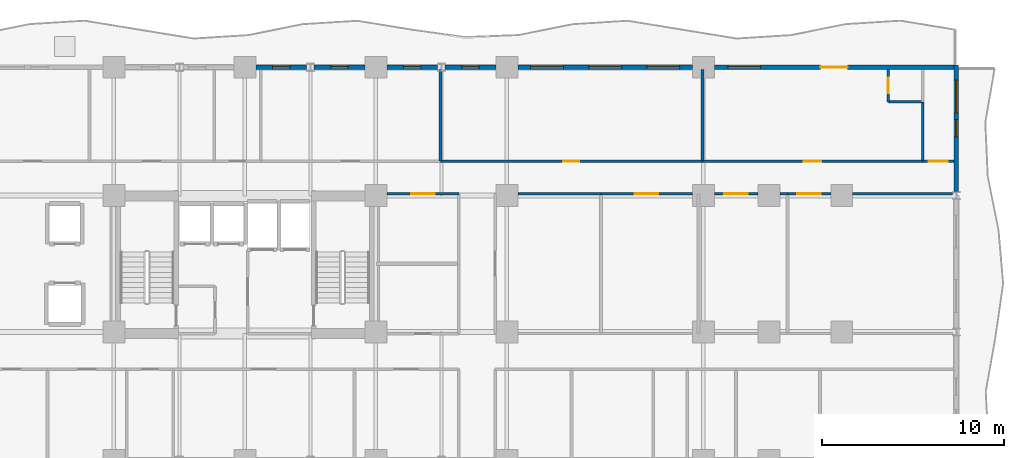
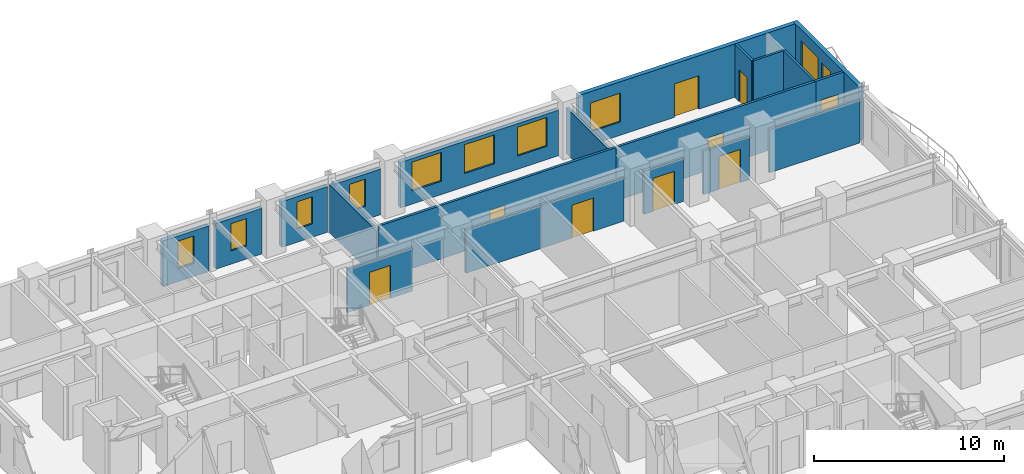
# One storey, part 7 of 11: 22 walls, 10 windows, 9 doors, 19 openings.
"""IFC4 building model written with IfcOpenShell, lengths in metres."""

import ifcopenshell
import ifcopenshell.guid

model = None  # the IFC model being written
_history = None  # IfcOwnerHistory: only IFC2X3 demands one
_inside = {}  # id of a spatial element -> (the spatial element, [elements in it])
_under = {}  # id of a project, library or spatial element -> (it, [spatial elements below it])
_declared = {}  # id of a project -> (the project, [libraries it declares])
_typed = {}  # id of a type object -> (the type object, [elements of that type])
_made_of = {}  # id of a material, layer set ... -> (it, [elements and type objects made of it])


def new_model(schema):
    """Start an empty IFC model of exactly this schema.

    Asked for "IFC4X3", IfcOpenShell would pick the latest addendum, in which some entities
    have other attributes; the version numbers below select the first issue.
    IFC2X3 requires an IfcOwnerHistory on every rooted entity: one is made here for all.
    """
    global model, _history
    if schema == "IFC4X3":
        model = ifcopenshell.file(schema_version=(4, 3, 0, 0))
    else:
        model = ifcopenshell.file(schema=schema)
    _inside.clear()
    _under.clear()
    _declared.clear()
    _typed.clear()
    _made_of.clear()
    _history = None
    if model.schema == "IFC2X3":
        org = make("IfcOrganization", Name="unknown")
        user = make(
            "IfcPersonAndOrganization",
            ThePerson=make("IfcPerson", FamilyName="unknown"),
            TheOrganization=org,
        )
        app = make(
            "IfcApplication",
            ApplicationDeveloper=org,
            Version="unknown",
            ApplicationFullName="unknown",
            ApplicationIdentifier="unknown",
        )
        _history = make(
            "IfcOwnerHistory",
            OwningUser=user,
            OwningApplication=app,
            ChangeAction="ADDED",
            CreationDate=0,
        )
    return model


def make(cls, **values):
    """One entity of the class cls with the attributes given. An attribute that is None is left unset."""
    return model.create_entity(
        cls, **{name: value for name, value in values.items() if value is not None}
    )


def rooted(cls, **values):
    """An entity with a GlobalId (a new one), such as an element, a storey or a relation."""
    return make(cls, GlobalId=ifcopenshell.guid.new(), OwnerHistory=_history, **values)


def si_unit(unit_type, name, prefix=None):
    """IfcSIUnit, for example si_unit("LENGTHUNIT", "METRE", prefix="MILLI")."""
    return make("IfcSIUnit", UnitType=unit_type, Prefix=prefix, Name=name)


def assignment(units):
    """IfcUnitAssignment: the units of a project."""
    return None if units is None else make("IfcUnitAssignment", Units=units)


def point(xyz):
    """IfcCartesianPoint."""
    return None if xyz is None else make("IfcCartesianPoint", Coordinates=xyz)


def direction(xyz):
    """IfcDirection."""
    return None if xyz is None else make("IfcDirection", DirectionRatios=xyz)


def frame(location, z_axis=None, x_axis=None):
    """IfcAxis2Placement3D, a coordinate frame: its origin and axes. An axis left out is left unset."""
    return make(
        "IfcAxis2Placement3D",
        Location=point(location),
        Axis=direction(z_axis),
        RefDirection=direction(x_axis),
    )


def frame_2d(location, x_axis=None):
    """IfcAxis2Placement2D, a coordinate frame in the plane: its origin and x axis."""
    return make(
        "IfcAxis2Placement2D", Location=point(location), RefDirection=direction(x_axis)
    )


def origin():
    """The frame at (0, 0, 0) with its axes left unset."""
    return frame((0.0, 0.0, 0.0))


def place(relative_to, where):
    """IfcLocalPlacement: puts the frame where relative to a parent placement (None: the world)."""
    return make(
        "IfcLocalPlacement", PlacementRelTo=relative_to, RelativePlacement=where
    )


def context(
    kind, dimensions, precision=None, world=None, true_north=None, identifier=None
):
    """IfcGeometricRepresentationContext, for example the 3D "Model" context."""
    return make(
        "IfcGeometricRepresentationContext",
        ContextIdentifier=identifier,
        ContextType=kind,
        CoordinateSpaceDimension=dimensions,
        Precision=precision,
        WorldCoordinateSystem=world,
        TrueNorth=true_north,
    )


def subcontext(parent, identifier, kind, view, scale=None):
    """IfcGeometricRepresentationSubContext, for example "Body" below "Model"."""
    return make(
        "IfcGeometricRepresentationSubContext",
        ContextIdentifier=identifier,
        ContextType=kind,
        ParentContext=parent,
        TargetScale=scale,
        TargetView=view,
    )


def project(units=None, contexts=None):
    """IfcProject with its units and contexts."""
    return rooted(
        "IfcProject",
        Name="project",
        RepresentationContexts=contexts,
        UnitsInContext=assignment(units),
    )


def spatial(cls, under=None, at=None, **own):
    """A site, building, storey or space (cls), placed at a placement, below another one or the project."""
    s = rooted(cls, ObjectPlacement=at, **own)
    if under is not None:
        _under.setdefault(under.id(), (under, []))[1].append(s)
    return s


def profile(cls, at=None, kind="AREA", **sizes):
    """A parametric profile (cls). Its sizes go by their IFC names, for example OverallWidth=200.0."""
    return make(cls, ProfileType=kind, Position=at, **sizes)


def rectangle(**sizes):
    """IfcRectangleProfileDef."""
    return profile("IfcRectangleProfileDef", **sizes)


def extrude(swept, where, along, depth):
    """IfcExtrudedAreaSolid: the profile swept, set in the frame where, extruded along a direction by depth."""
    return make(
        "IfcExtrudedAreaSolid",
        SweptArea=swept,
        Position=where,
        ExtrudedDirection=direction(along),
        Depth=depth,
    )


def shape(context_of_items, identifier, shape_type, items):
    """IfcShapeRepresentation: the items that make up one representation, for example the "Body"."""
    return make(
        "IfcShapeRepresentation",
        ContextOfItems=context_of_items,
        RepresentationIdentifier=identifier,
        RepresentationType=shape_type,
        Items=items,
    )


def material(Name=None, Category=None):
    """IfcMaterial."""
    return make("IfcMaterial", Name=Name, Category=Category)


def layer(
    of_material, thickness, ventilated=None, Name=None, Category=None, Priority=None
):
    """IfcMaterialLayer: one layer of a wall or slab, of a material (None: an air gap)."""
    return make(
        "IfcMaterialLayer",
        Material=of_material,
        LayerThickness=thickness,
        IsVentilated=ventilated,
        Name=Name,
        Category=Category,
        Priority=Priority,
    )


def layer_set(layers, Name=None):
    """IfcMaterialLayerSet."""
    return make("IfcMaterialLayerSet", MaterialLayers=layers, LayerSetName=Name)


def made_of(thing, what):
    """Note that an element or type object is made of a material, layer set ...; save() writes the relation."""
    if what is not None:
        _made_of.setdefault(what.id(), (what, []))[1].append(thing)
    return thing


def type_object(cls, material=None, **own):
    """A type object (cls), such as IfcWallType, which elements share."""
    return made_of(rooted(cls, **own), material)


def element(
    cls,
    number,
    at=None,
    inside=None,
    cuts=None,
    type_object=None,
    material=None,
    context=None,
    identifier="Body",
    shape_type=None,
    held_by="IfcProductDefinitionShape",
    body=None,
    shapes=None,
    **own,
):
    """One element of the class cls, such as IfcWall. Its Tag is "e" and its number.

    at: its placement. inside: the storey or other place that contains it. cuts: it is an
    opening in that element (IfcRelVoidsElement). A single representation is given by context,
    identifier, shape_type and body (its items); several are given by shapes. held_by: the class
    of the entity that holds the representations. save() writes the other relations.
    """
    e = rooted(cls, Tag="e%d" % number, ObjectPlacement=at, **own)
    if body is not None:
        shapes = [shape(context, identifier, shape_type, body)]
    if shapes is not None:
        e.Representation = make(held_by, Representations=shapes)
    if inside is not None:
        _inside.setdefault(inside.id(), (inside, []))[1].append(e)
    if cuts is not None:
        rooted(
            "IfcRelVoidsElement", RelatingBuildingElement=cuts, RelatedOpeningElement=e
        )
    if type_object is not None:
        _typed.setdefault(type_object.id(), (type_object, []))[1].append(e)
    return made_of(e, material)


def fill(opening, filler):
    """IfcRelFillsElement: the door or window that sits in an opening."""
    return rooted(
        "IfcRelFillsElement",
        RelatingOpeningElement=opening,
        RelatedBuildingElement=filler,
    )


def aggregate(whole, parts):
    """IfcRelAggregates: a whole, such as a stair, and the parts it consists of."""
    return rooted("IfcRelAggregates", RelatingObject=whole, RelatedObjects=parts)


def save(model, path):
    """Write the relations noted so far, then the file.

    IfcRelAggregates (storeys below a building ...), IfcRelContainedInSpatialStructure (elements
    in a storey), IfcRelDefinesByType, IfcRelAssociatesMaterial and IfcRelDeclares: one each for
    every whole, place, type object, material and project.
    """
    for whole, parts in _under.values():
        aggregate(whole, parts)
    for where, things in _inside.values():
        rooted(
            "IfcRelContainedInSpatialStructure",
            RelatedElements=things,
            RelatingStructure=where,
        )
    for kind, things in _typed.values():
        rooted("IfcRelDefinesByType", RelatedObjects=things, RelatingType=kind)
    for what, things in _made_of.values():
        rooted("IfcRelAssociatesMaterial", RelatedObjects=things, RelatingMaterial=what)
    for by, libraries in _declared.values():
        rooted("IfcRelDeclares", RelatingContext=by, RelatedDefinitions=libraries)
    model.write(path)


model = new_model("IFC4")

# Units and contexts
model_context = context("Model", 3, precision=1e-05, world=origin(), true_north=direction((0.0, 1.0)))
body_context = subcontext(model_context, "Body", "Model", "MODEL_VIEW")
ifc_project = project(units=[si_unit("LENGTHUNIT", "METRE"), si_unit("AREAUNIT", "SQUARE_METRE"), si_unit("VOLUMEUNIT", "CUBIC_METRE"), si_unit("PLANEANGLEUNIT", "RADIAN"), si_unit("MASSUNIT", "GRAM", prefix="KILO")], contexts=[model_context])

# Site, building, storey
site_placement = place(None, origin())
site = spatial("IfcSite", under=ifc_project, at=site_placement, CompositionType="ELEMENT")
building_placement = place(site_placement, origin())
building = spatial("IfcBuilding", under=site, at=building_placement, Name="Kaliganga Portal Commons", CompositionType="ELEMENT")
storey_placement = place(building_placement, frame((0.0, 0.0, 86.0)))
storey = spatial("IfcBuildingStorey", under=building, at=storey_placement, Name="L21", CompositionType="ELEMENT", Elevation=86.0)

# Wall, openings, windows
ifc_material_1 = material(Name="Insulated Aluminium-Clad Spandrel Assembly", Category="aluminium")
ifc_layer_1 = layer(ifc_material_1, 0.260009765625)
ifc_layer_set_1 = layer_set([ifc_layer_1], Name="Insulated Aluminium-Clad Spandrel Assembly")
wall_type_1 = type_object("IfcWallType", Name="WL-EXT-SPAND-260", PredefinedType="STANDARD", material=ifc_layer_set_1)
wall_1_placement = place(storey_placement, frame((60.699951171875, 43.330078125, 0.0), z_axis=(0.0, 0.0, 1.0), x_axis=(0.0, -1.0, 0.0)))
wall_1 = element("IfcWall", 1, at=wall_1_placement, inside=storey, type_object=wall_type_1, Name="Exterior Envelope Wall L21 P1-E01-S6", PredefinedType="STANDARD", context=body_context, shape_type="SweptSolid", body=[
    extrude(rectangle(XDim=6.964111328125, YDim=0.260009765625, at=frame_2d((3.48193359375, 0.0))), origin(), (0.0, 0.0, 1.0), 3.429931640625),
])
opening_1_placement = place(wall_1_placement, frame((0.841064453125, 0.0, 0.85009765625)))
opening_1 = element("IfcOpeningElement", 2, at=opening_1_placement, cuts=wall_1, Name="Opening W-01", PredefinedType="OPENING", context=body_context, shape_type="SweptSolid", body=[
    extrude(rectangle(XDim=1.800048828125, YDim=1.85009765625, at=frame_2d((0.89990234375, 0.925048828125))), frame((0.0, 0.14013671875, 0.0), z_axis=(0.0, -1.0, 0.0), x_axis=(1.0, 0.0, 0.0)), (0.0, 0.0, 1.0), 0.280029296875),
])
opening_2_placement = place(wall_1_placement, frame((3.007080078125, 0.0, 0.85009765625)))
opening_2 = element("IfcOpeningElement", 3, at=opening_2_placement, cuts=wall_1, Name="Opening W-04", PredefinedType="OPENING", context=body_context, shape_type="SweptSolid", body=[
    extrude(rectangle(XDim=0.949951171875, YDim=1.75, at=frame_2d((0.47509765625, 0.875))), frame((0.0, 0.14013671875, 0.0), z_axis=(0.0, -1.0, 0.0), x_axis=(1.0, 0.0, 0.0)), (0.0, 0.0, 1.0), 0.280029296875),
])
ifc_material_2 = material(Name="Thermally Broken Aluminium and Low-E Double Glazing", Category="aluminium")
window_type_1 = type_object("IfcWindowType", Name="WIN-NARROW-950", PartitioningType="SINGLE_PANEL", PredefinedType="WINDOW", material=ifc_material_2)
window_1_placement = place(opening_2_placement, origin())
window_1 = element("IfcWindow", 4, at=window_1_placement, inside=storey, type_object=window_type_1, Name="Facade Window L21-P1E01S6-N0", OverallHeight=1.75, OverallWidth=0.949951171875, PartitioningType="SINGLE_PANEL", PredefinedType="WINDOW", context=body_context, shape_type="SweptSolid", body=[
    extrude(rectangle(XDim=0.949951171875, YDim=1.75, at=frame_2d((0.47509765625, 0.875))), frame((0.0, 0.030029296875, 0.0), z_axis=(0.0, -1.0, 0.0), x_axis=(1.0, 0.0, 0.0)), (0.0, 0.0, 1.0), 0.06005859375),
])
fill(opening_2, window_1)
window_type_2 = type_object("IfcWindowType", Name="WIN-STD-1800", PartitioningType="DOUBLE_PANEL_VERTICAL", PredefinedType="WINDOW", material=ifc_material_2)
window_2_placement = place(opening_1_placement, origin())
window_2 = element("IfcWindow", 5, at=window_2_placement, inside=storey, type_object=window_type_2, Name="Facade Window L21-P1E01S6-00", OverallHeight=1.85009765625, OverallWidth=1.800048828125, PartitioningType="SINGLE_PANEL", PredefinedType="WINDOW", context=body_context, shape_type="SweptSolid", body=[
    extrude(rectangle(XDim=1.800048828125, YDim=1.85009765625, at=frame_2d((0.89990234375, 0.925048828125))), frame((0.0, 0.030029296875, 0.0), z_axis=(0.0, -1.0, 0.0), x_axis=(1.0, 0.0, 0.0)), (0.0, 0.0, 1.0), 0.06005859375),
])
fill(opening_1, window_2)

# Wall, openings, door, window
wall_2_placement = place(storey_placement, frame((47.40087890625, 43.199951171875, 0.0), z_axis=(0.0, 0.0, 1.0), x_axis=(1.0, 0.0, 0.0)))
wall_2 = element("IfcWall", 6, at=wall_2_placement, inside=storey, type_object=wall_type_1, Name="Exterior Envelope Wall L21 P1-E02-S1", PredefinedType="STANDARD", context=body_context, shape_type="SweptSolid", body=[
    extrude(rectangle(XDim=13.1640625, YDim=0.260009765625, at=frame_2d((6.58203125, 0.0))), origin(), (0.0, 0.0, 1.0), 3.429931640625),
])
opening_3_placement = place(wall_2_placement, frame((5.83203125, 0.0, 0.0)))
opening_3 = element("IfcOpeningElement", 7, at=opening_3_placement, cuts=wall_2, Name="Opening BD-01", PredefinedType="OPENING", context=body_context, shape_type="SweptSolid", body=[
    extrude(rectangle(XDim=1.5, YDim=2.14990234375, at=frame_2d((0.75, 1.074951171875))), frame((0.0, 0.14013671875, 0.0), z_axis=(0.0, -1.0, 0.0), x_axis=(1.0, 0.0, 0.0)), (0.0, 0.0, 1.0), 0.280029296875),
])
opening_4_placement = place(wall_2_placement, frame((0.74560546875, 0.0, 0.85009765625)))
opening_4 = element("IfcOpeningElement", 8, at=opening_4_placement, cuts=wall_2, Name="Opening W-01", PredefinedType="OPENING", context=body_context, shape_type="SweptSolid", body=[
    extrude(rectangle(XDim=1.800048828125, YDim=1.85009765625, at=frame_2d((0.89990234375, 0.925048828125))), frame((0.0, 0.14013671875, 0.0), z_axis=(0.0, -1.0, 0.0), x_axis=(1.0, 0.0, 0.0)), (0.0, 0.0, 1.0), 0.280029296875),
])
ifc_material_3 = material(Name="Anodized Aluminium and Laminated Safety Glass", Category="aluminium")
door_type_1 = type_object("IfcDoorType", Name="DR-BALC-1500", OperationType="SLIDING_TO_LEFT", PredefinedType="DOOR", material=ifc_material_3)
door_1_placement = place(opening_3_placement, origin())
door_1 = element("IfcDoor", 9, at=door_1_placement, inside=storey, type_object=door_type_1, Name="Balcony Sliding Door L21 balc_north", OperationType="SLIDING_TO_LEFT", OverallHeight=2.14990234375, OverallWidth=1.5, PredefinedType="DOOR", context=body_context, shape_type="SweptSolid", body=[
    extrude(rectangle(XDim=1.5, YDim=2.14990234375, at=frame_2d((0.75, 1.074951171875))), frame((0.0, 0.02490234375, 0.0), z_axis=(0.0, -1.0, 0.0), x_axis=(1.0, 0.0, 0.0)), (0.0, 0.0, 1.0), 0.050048828125),
])
fill(opening_3, door_1)
window_3_placement = place(opening_4_placement, origin())
window_3 = element("IfcWindow", 10, at=window_3_placement, inside=storey, type_object=window_type_2, Name="Facade Window L21-P1E02S1-00", OverallHeight=1.85009765625, OverallWidth=1.800048828125, PartitioningType="SINGLE_PANEL", PredefinedType="WINDOW", context=body_context, shape_type="SweptSolid", body=[
    extrude(rectangle(XDim=1.800048828125, YDim=1.85009765625, at=frame_2d((0.89990234375, 0.925048828125))), frame((0.0, 0.030029296875, 0.0), z_axis=(0.0, -1.0, 0.0), x_axis=(1.0, 0.0, 0.0)), (0.0, 0.0, 1.0), 0.06005859375),
])
fill(opening_4, window_3)

# Wall, openings, windows
wall_3_placement = place(storey_placement, frame((36.60107421875, 43.199951171875, 0.0), z_axis=(0.0, 0.0, 1.0), x_axis=(1.0, 0.0, 0.0)))
wall_3 = element("IfcWall", 11, at=wall_3_placement, inside=storey, type_object=wall_type_1, Name="Exterior Envelope Wall L21 P1-E02-S2", PredefinedType="STANDARD", context=body_context, shape_type="SweptSolid", body=[
    extrude(rectangle(XDim=9.597900390625, YDim=0.260009765625, at=frame_2d((4.798828125, 0.0))), origin(), (0.0, 0.0, 1.0), 2.929931640625),
])
opening_5_placement = place(wall_3_placement, frame((0.69970703125, 0.0, 0.85009765625)))
opening_5 = element("IfcOpeningElement", 12, at=opening_5_placement, cuts=wall_3, Name="Opening W-01", PredefinedType="OPENING", context=body_context, shape_type="SweptSolid", body=[
    extrude(rectangle(XDim=1.800048828125, YDim=1.85009765625, at=frame_2d((0.89990234375, 0.925048828125))), frame((0.0, 0.14013671875, 0.0), z_axis=(0.0, -1.0, 0.0), x_axis=(1.0, 0.0, 0.0)), (0.0, 0.0, 1.0), 0.280029296875),
])
opening_6_placement = place(wall_3_placement, frame((3.89892578125, 0.0, 0.85009765625)))
opening_6 = element("IfcOpeningElement", 13, at=opening_6_placement, cuts=wall_3, Name="Opening W-01", PredefinedType="OPENING", context=body_context, shape_type="SweptSolid", body=[
    extrude(rectangle(XDim=1.800048828125, YDim=1.85009765625, at=frame_2d((0.89990234375, 0.925048828125))), frame((0.0, 0.14013671875, 0.0), z_axis=(0.0, -1.0, 0.0), x_axis=(1.0, 0.0, 0.0)), (0.0, 0.0, 1.0), 0.280029296875),
])
opening_7_placement = place(wall_3_placement, frame((7.098388671875, 0.0, 0.85009765625)))
opening_7 = element("IfcOpeningElement", 14, at=opening_7_placement, cuts=wall_3, Name="Opening W-01", PredefinedType="OPENING", context=body_context, shape_type="SweptSolid", body=[
    extrude(rectangle(XDim=1.800048828125, YDim=1.85009765625, at=frame_2d((0.89990234375, 0.925048828125))), frame((0.0, 0.14013671875, 0.0), z_axis=(0.0, -1.0, 0.0), x_axis=(1.0, 0.0, 0.0)), (0.0, 0.0, 1.0), 0.280029296875),
])
window_4_placement = place(opening_5_placement, origin())
window_4 = element("IfcWindow", 15, at=window_4_placement, inside=storey, type_object=window_type_2, Name="Facade Window L21-P1E02S2-00", OverallHeight=1.85009765625, OverallWidth=1.800048828125, PartitioningType="SINGLE_PANEL", PredefinedType="WINDOW", context=body_context, shape_type="SweptSolid", body=[
    extrude(rectangle(XDim=1.800048828125, YDim=1.85009765625, at=frame_2d((0.89990234375, 0.925048828125))), frame((0.0, 0.030029296875, 0.0), z_axis=(0.0, -1.0, 0.0), x_axis=(1.0, 0.0, 0.0)), (0.0, 0.0, 1.0), 0.06005859375),
])
fill(opening_5, window_4)
window_5_placement = place(opening_6_placement, origin())
window_5 = element("IfcWindow", 16, at=window_5_placement, inside=storey, type_object=window_type_2, Name="Facade Window L21-P1E02S2-01", OverallHeight=1.85009765625, OverallWidth=1.800048828125, PartitioningType="SINGLE_PANEL", PredefinedType="WINDOW", context=body_context, shape_type="SweptSolid", body=[
    extrude(rectangle(XDim=1.800048828125, YDim=1.85009765625, at=frame_2d((0.89990234375, 0.925048828125))), frame((0.0, 0.030029296875, 0.0), z_axis=(0.0, -1.0, 0.0), x_axis=(1.0, 0.0, 0.0)), (0.0, 0.0, 1.0), 0.06005859375),
])
fill(opening_6, window_5)
window_6_placement = place(opening_7_placement, origin())
window_6 = element("IfcWindow", 17, at=window_6_placement, inside=storey, type_object=window_type_2, Name="Facade Window L21-P1E02S2-02", OverallHeight=1.85009765625, OverallWidth=1.800048828125, PartitioningType="SINGLE_PANEL", PredefinedType="WINDOW", context=body_context, shape_type="SweptSolid", body=[
    extrude(rectangle(XDim=1.800048828125, YDim=1.85009765625, at=frame_2d((0.89990234375, 0.925048828125))), frame((0.0, 0.030029296875, 0.0), z_axis=(0.0, -1.0, 0.0), x_axis=(1.0, 0.0, 0.0)), (0.0, 0.0, 1.0), 0.06005859375),
])
fill(opening_7, window_6)

# Wall, opening, window
wall_4_placement = place(storey_placement, frame((32.60546875, 43.199951171875, 0.0), z_axis=(0.0, 0.0, 1.0), x_axis=(1.0, 0.0, 0.0)))
wall_4 = element("IfcWall", 18, at=wall_4_placement, inside=storey, type_object=wall_type_1, Name="Exterior Envelope Wall L21 P1-E02-S3", PredefinedType="STANDARD", context=body_context, shape_type="SweptSolid", body=[
    extrude(rectangle(XDim=2.79345703125, YDim=0.260009765625, at=frame_2d((1.396728515625, 0.0))), origin(), (0.0, 0.0, 1.0), 2.929931640625),
])
opening_8_placement = place(wall_4_placement, frame((0.921875, 0.0, 0.85009765625)))
opening_8 = element("IfcOpeningElement", 19, at=opening_8_placement, cuts=wall_4, Name="Opening W-04", PredefinedType="OPENING", context=body_context, shape_type="SweptSolid", body=[
    extrude(rectangle(XDim=0.949951171875, YDim=1.75, at=frame_2d((0.47509765625, 0.875))), frame((0.0, 0.14013671875, 0.0), z_axis=(0.0, -1.0, 0.0), x_axis=(1.0, 0.0, 0.0)), (0.0, 0.0, 1.0), 0.280029296875),
])
window_7_placement = place(opening_8_placement, origin())
window_7 = element("IfcWindow", 20, at=window_7_placement, inside=storey, type_object=window_type_1, Name="Facade Window L21-P1E02S3-00", OverallHeight=1.75, OverallWidth=0.949951171875, PartitioningType="SINGLE_PANEL", PredefinedType="WINDOW", context=body_context, shape_type="SweptSolid", body=[
    extrude(rectangle(XDim=0.949951171875, YDim=1.75, at=frame_2d((0.47509765625, 0.875))), frame((0.0, 0.030029296875, 0.0), z_axis=(0.0, -1.0, 0.0), x_axis=(1.0, 0.0, 0.0)), (0.0, 0.0, 1.0), 0.06005859375),
])
fill(opening_8, window_7)

wall_5_placement = place(storey_placement, frame((29.40087890625, 43.199951171875, 0.0), z_axis=(0.0, 0.0, 1.0), x_axis=(1.0, 0.0, 0.0)))
wall_5 = element("IfcWall", 21, at=wall_5_placement, inside=storey, type_object=wall_type_1, Name="Exterior Envelope Wall L21 P1-E02-S4", PredefinedType="STANDARD", context=body_context, shape_type="SweptSolid", body=[
    extrude(rectangle(XDim=2.793701171875, YDim=0.260009765625, at=frame_2d((1.39697265625, 0.0))), origin(), (0.0, 0.0, 1.0), 2.929931640625),
])
opening_9_placement = place(wall_5_placement, frame((0.921630859375, 0.0, 0.85009765625)))
opening_9 = element("IfcOpeningElement", 22, at=opening_9_placement, cuts=wall_5, Name="Opening W-04", PredefinedType="OPENING", context=body_context, shape_type="SweptSolid", body=[
    extrude(rectangle(XDim=0.949951171875, YDim=1.75, at=frame_2d((0.47509765625, 0.875))), frame((0.0, 0.14013671875, 0.0), z_axis=(0.0, -1.0, 0.0), x_axis=(1.0, 0.0, 0.0)), (0.0, 0.0, 1.0), 0.280029296875),
])
window_8_placement = place(opening_9_placement, origin())
window_8 = element("IfcWindow", 23, at=window_8_placement, inside=storey, type_object=window_type_1, Name="Facade Window L21-P1E02S4-00", OverallHeight=1.75, OverallWidth=0.949951171875, PartitioningType="SINGLE_PANEL", PredefinedType="WINDOW", context=body_context, shape_type="SweptSolid", body=[
    extrude(rectangle(XDim=0.949951171875, YDim=1.75, at=frame_2d((0.47509765625, 0.875))), frame((0.0, 0.030029296875, 0.0), z_axis=(0.0, -1.0, 0.0), x_axis=(1.0, 0.0, 0.0)), (0.0, 0.0, 1.0), 0.06005859375),
])
fill(opening_9, window_8)

wall_6_placement = place(storey_placement, frame((25.405517578125, 43.199951171875, 0.0), z_axis=(0.0, 0.0, 1.0), x_axis=(1.0, 0.0, 0.0)))
wall_6 = element("IfcWall", 24, at=wall_6_placement, inside=storey, type_object=wall_type_1, Name="Exterior Envelope Wall L21 P1-E02-S5", PredefinedType="STANDARD", context=body_context, shape_type="SweptSolid", body=[
    extrude(rectangle(XDim=2.79345703125, YDim=0.260009765625, at=frame_2d((1.396728515625, 0.0))), origin(), (0.0, 0.0, 1.0), 2.929931640625),
])
opening_10_placement = place(wall_6_placement, frame((0.921875, 0.0, 0.85009765625)))
opening_10 = element("IfcOpeningElement", 25, at=opening_10_placement, cuts=wall_6, Name="Opening W-04", PredefinedType="OPENING", context=body_context, shape_type="SweptSolid", body=[
    extrude(rectangle(XDim=0.949951171875, YDim=1.75, at=frame_2d((0.47509765625, 0.875))), frame((0.0, 0.14013671875, 0.0), z_axis=(0.0, -1.0, 0.0), x_axis=(1.0, 0.0, 0.0)), (0.0, 0.0, 1.0), 0.280029296875),
])
window_9_placement = place(opening_10_placement, origin())
window_9 = element("IfcWindow", 26, at=window_9_placement, inside=storey, type_object=window_type_1, Name="Facade Window L21-P1E02S5-00", OverallHeight=1.75, OverallWidth=0.949951171875, PartitioningType="SINGLE_PANEL", PredefinedType="WINDOW", context=body_context, shape_type="SweptSolid", body=[
    extrude(rectangle(XDim=0.949951171875, YDim=1.75, at=frame_2d((0.47509765625, 0.875))), frame((0.0, 0.030029296875, 0.0), z_axis=(0.0, -1.0, 0.0), x_axis=(1.0, 0.0, 0.0)), (0.0, 0.0, 1.0), 0.06005859375),
])
fill(opening_10, window_9)

wall_7_placement = place(storey_placement, frame((22.200927734375, 43.199951171875, 0.0), z_axis=(0.0, 0.0, 1.0), x_axis=(1.0, 0.0, 0.0)))
wall_7 = element("IfcWall", 27, at=wall_7_placement, inside=storey, type_object=wall_type_1, Name="Exterior Envelope Wall L21 P1-E02-S6", PredefinedType="STANDARD", context=body_context, shape_type="SweptSolid", body=[
    extrude(rectangle(XDim=2.79345703125, YDim=0.260009765625, at=frame_2d((1.396728515625, 0.0))), origin(), (0.0, 0.0, 1.0), 2.929931640625),
])
opening_11_placement = place(wall_7_placement, frame((0.921630859375, 0.0, 0.85009765625)))
opening_11 = element("IfcOpeningElement", 28, at=opening_11_placement, cuts=wall_7, Name="Opening W-04", PredefinedType="OPENING", context=body_context, shape_type="SweptSolid", body=[
    extrude(rectangle(XDim=0.949951171875, YDim=1.75, at=frame_2d((0.47509765625, 0.875))), frame((0.0, 0.14013671875, 0.0), z_axis=(0.0, -1.0, 0.0), x_axis=(1.0, 0.0, 0.0)), (0.0, 0.0, 1.0), 0.280029296875),
])
window_10_placement = place(opening_11_placement, origin())
window_10 = element("IfcWindow", 29, at=window_10_placement, inside=storey, type_object=window_type_1, Name="Facade Window L21-P1E02S6-00", OverallHeight=1.75, OverallWidth=0.949951171875, PartitioningType="SINGLE_PANEL", PredefinedType="WINDOW", context=body_context, shape_type="SweptSolid", body=[
    extrude(rectangle(XDim=0.949951171875, YDim=1.75, at=frame_2d((0.47509765625, 0.875))), frame((0.0, 0.030029296875, 0.0), z_axis=(0.0, -1.0, 0.0), x_axis=(1.0, 0.0, 0.0)), (0.0, 0.0, 1.0), 0.06005859375),
])
fill(opening_11, window_10)

# Wall, opening, door
ifc_material_4 = material(Name="Fire-Rated Gypsum Board on Steel Stud", Category="steel")
ifc_layer_2 = layer(ifc_material_4, 0.14990234375)
ifc_layer_set_2 = layer_set([ifc_layer_2], Name="Fire-Rated Gypsum Board on Steel Stud")
wall_type_2 = type_object("IfcWallType", Name="WL-PART-CORR-150", PredefinedType="PARTITIONING", material=ifc_layer_set_2)
wall_8_placement = place(storey_placement, frame((32.340087890625, 38.0400390625, 0.0), z_axis=(0.0, 0.0, 1.0), x_axis=(1.0, 0.0, 0.0)))
wall_8 = element("IfcWall", 30, at=wall_8_placement, inside=storey, type_object=wall_type_2, Name="Interior Partition L21-004", PredefinedType="PARTITIONING", context=body_context, shape_type="SweptSolid", body=[
    extrude(rectangle(XDim=14.39990234375, YDim=0.14990234375, at=frame_2d((7.199951171875, 0.0))), origin(), (0.0, 0.0, 1.0), 3.429931640625),
])
opening_12_placement = place(wall_8_placement, frame((6.75, 0.0, 0.0)))
opening_12 = element("IfcOpeningElement", 31, at=opening_12_placement, cuts=wall_8, Name="Opening RD-01", PredefinedType="OPENING", context=body_context, shape_type="SweptSolid", body=[
    extrude(rectangle(XDim=0.89990234375, YDim=2.080078125, at=frame_2d((0.449951171875, 1.0400390625))), frame((0.0, 0.0849609375, 0.0), z_axis=(0.0, -1.0, 0.0), x_axis=(1.0, 0.0, 0.0)), (0.0, 0.0, 1.0), 0.169921875),
])
ifc_material_5 = material(Name="Engineered Timber Flush Door", Category="wood")
door_type_2 = type_object("IfcDoorType", Name="DR-ROOM-900", OperationType="NOTDEFINED", PredefinedType="DOOR", material=ifc_material_5)
door_2_placement = place(opening_12_placement, origin())
door_2 = element("IfcDoor", 32, at=door_2_placement, inside=storey, type_object=door_type_2, Name="Interior Door L21-AN05", OperationType="SINGLE_SWING_LEFT", OverallHeight=2.080078125, OverallWidth=0.89990234375, PredefinedType="DOOR", context=body_context, shape_type="SweptSolid", body=[
    extrude(rectangle(XDim=0.89990234375, YDim=2.080078125, at=frame_2d((0.449951171875, 1.0400390625))), frame((0.0, 0.02490234375, 0.0), z_axis=(0.0, -1.0, 0.0), x_axis=(1.0, 0.0, 0.0)), (0.0, 0.0, 1.0), 0.050048828125),
])
fill(opening_12, door_2)

wall_9_placement = place(storey_placement, frame((46.739990234375, 38.0400390625, 0.0), z_axis=(0.0, 0.0, 1.0), x_axis=(1.0, 0.0, 0.0)))
wall_9 = element("IfcWall", 33, at=wall_9_placement, inside=storey, type_object=wall_type_2, Name="Interior Partition L21-007", PredefinedType="PARTITIONING", context=body_context, shape_type="SweptSolid", body=[
    extrude(rectangle(XDim=12.1201171875, YDim=0.14990234375, at=frame_2d((6.06005859375, 0.0))), origin(), (0.0, 0.0, 1.0), 3.429931640625),
])
opening_13_placement = place(wall_9_placement, frame((5.5849609375, 0.0, 0.0)))
opening_13 = element("IfcOpeningElement", 34, at=opening_13_placement, cuts=wall_9, Name="Opening UD-01", PredefinedType="OPENING", context=body_context, shape_type="SweptSolid", body=[
    extrude(rectangle(XDim=0.949951171875, YDim=2.10009765625, at=frame_2d((0.47509765625, 1.050048828125))), frame((0.0, 0.0849609375, 0.0), z_axis=(0.0, -1.0, 0.0), x_axis=(1.0, 0.0, 0.0)), (0.0, 0.0, 1.0), 0.169921875),
])
ifc_material_6 = material(Name="Solid-Core Timber Acoustic Fire Door", Category="wood")
door_type_3 = type_object("IfcDoorType", Name="DR-UNIT-950", OperationType="NOTDEFINED", PredefinedType="DOOR", material=ifc_material_6)
door_3_placement = place(opening_13_placement, origin())
door_3 = element("IfcDoor", 35, at=door_3_placement, inside=storey, type_object=door_type_3, Name="Interior Door L21-AN06", OperationType="SINGLE_SWING_RIGHT", OverallHeight=2.10009765625, OverallWidth=0.949951171875, PredefinedType="DOOR", context=body_context, shape_type="SweptSolid", body=[
    extrude(rectangle(XDim=0.949951171875, YDim=2.10009765625, at=frame_2d((0.47509765625, 1.050048828125))), frame((0.0, 0.02490234375, 0.0), z_axis=(0.0, -1.0, 0.0), x_axis=(1.0, 0.0, 0.0)), (0.0, 0.0, 1.0), 0.050048828125),
])
fill(opening_13, door_3)

wall_10_placement = place(storey_placement, frame((51.419921875, 36.239990234375, 0.0), z_axis=(0.0, 0.0, 1.0), x_axis=(1.0, 0.0, 0.0)))
wall_10 = element("IfcWall", 36, at=wall_10_placement, inside=storey, type_object=wall_type_2, Name="Interior Partition L21-014", PredefinedType="PARTITIONING", context=body_context, shape_type="SweptSolid", body=[
    extrude(rectangle(XDim=2.380126953125, YDim=0.14990234375, at=frame_2d((1.18994140625, 0.0))), origin(), (0.0, 0.0, 1.0), 2.780029296875),
])
opening_14_placement = place(wall_10_placement, frame((0.5400390625, 0.0, 0.0)))
opening_14 = element("IfcOpeningElement", 37, at=opening_14_placement, cuts=wall_10, Name="Opening RD-03", PredefinedType="OPENING", context=body_context, shape_type="SweptSolid", body=[
    extrude(rectangle(XDim=1.300048828125, YDim=2.1201171875, at=frame_2d((0.64990234375, 1.06005859375))), frame((0.0, 0.0849609375, 0.0), z_axis=(0.0, -1.0, 0.0), x_axis=(1.0, 0.0, 0.0)), (0.0, 0.0, 1.0), 0.169921875),
])
ifc_material_7 = material(Name="Glazed Timber Seminar Vision Door", Category="wood")
door_type_4 = type_object("IfcDoorType", Name="DR-STUDY-1300", OperationType="DOUBLE_DOOR_SINGLE_SWING", PredefinedType="DOOR", material=ifc_material_7)
door_4_placement = place(opening_14_placement, origin())
door_4 = element("IfcDoor", 38, at=door_4_placement, inside=storey, type_object=door_type_4, Name="Interior Door L21-BK04", OperationType="DOUBLE_DOOR_SINGLE_SWING", OverallHeight=2.1201171875, OverallWidth=1.300048828125, PredefinedType="DOOR", context=body_context, shape_type="SweptSolid", body=[
    extrude(rectangle(XDim=1.300048828125, YDim=2.1201171875, at=frame_2d((0.64990234375, 1.06005859375))), frame((0.0, 0.02490234375, 0.0), z_axis=(0.0, -1.0, 0.0), x_axis=(1.0, 0.0, 0.0)), (0.0, 0.0, 1.0), 0.050048828125),
])
fill(opening_14, door_4)

# Walls
wall_11_placement = place(storey_placement, frame((55.0, 36.239990234375, 0.0), z_axis=(0.0, 0.0, 1.0), x_axis=(1.0, 0.0, 0.0)))
element("IfcWall", 39, at=wall_11_placement, inside=storey, type_object=wall_type_2, Name="Interior Partition L21-015", PredefinedType="PARTITIONING", context=body_context, shape_type="SweptSolid", body=[
    extrude(rectangle(XDim=5.49560546875, YDim=0.14990234375, at=frame_2d((2.747802734375, 0.0))), origin(), (0.0, 0.0, 1.0), 2.780029296875),
])
wall_12_placement = place(storey_placement, frame((36.60009765625, 36.239990234375, 0.0), z_axis=(0.0, 0.0, 1.0), x_axis=(1.0, 0.0, 0.0)))
element("IfcWall", 40, at=wall_12_placement, inside=storey, type_object=wall_type_2, Name="Interior Partition L21-022", PredefinedType="PARTITIONING", context=body_context, shape_type="SweptSolid", body=[
    extrude(rectangle(XDim=4.559814453125, YDim=0.14990234375, at=frame_2d((2.27978515625, 0.0))), origin(), (0.0, 0.0, 1.0), 2.780029296875),
])

# Wall, opening, door
wall_13_placement = place(storey_placement, frame((41.159912109375, 36.239990234375, 0.0), z_axis=(0.0, 0.0, 1.0), x_axis=(1.0, 0.0, 0.0)))
wall_13 = element("IfcWall", 41, at=wall_13_placement, inside=storey, type_object=wall_type_2, Name="Interior Partition L21-024", PredefinedType="PARTITIONING", context=body_context, shape_type="SweptSolid", body=[
    extrude(rectangle(XDim=5.0400390625, YDim=0.14990234375, at=frame_2d((2.52001953125, 0.0))), origin(), (0.0, 0.0, 1.0), 2.780029296875),
])
opening_15_placement = place(wall_13_placement, frame((1.8701171875, 0.0, 0.0)))
opening_15 = element("IfcOpeningElement", 42, at=opening_15_placement, cuts=wall_13, Name="Opening RD-03", PredefinedType="OPENING", context=body_context, shape_type="SweptSolid", body=[
    extrude(rectangle(XDim=1.300048828125, YDim=2.1201171875, at=frame_2d((0.64990234375, 1.06005859375))), frame((0.0, 0.0849609375, 0.0), z_axis=(0.0, -1.0, 0.0), x_axis=(1.0, 0.0, 0.0)), (0.0, 0.0, 1.0), 0.169921875),
])
door_5_placement = place(opening_15_placement, origin())
door_5 = element("IfcDoor", 43, at=door_5_placement, inside=storey, type_object=door_type_4, Name="Interior Door L21-BK02", OperationType="DOUBLE_DOOR_SINGLE_SWING", OverallHeight=2.1201171875, OverallWidth=1.300048828125, PredefinedType="DOOR", context=body_context, shape_type="SweptSolid", body=[
    extrude(rectangle(XDim=1.300048828125, YDim=2.1201171875, at=frame_2d((0.64990234375, 1.06005859375))), frame((0.0, 0.02490234375, 0.0), z_axis=(0.0, -1.0, 0.0), x_axis=(1.0, 0.0, 0.0)), (0.0, 0.0, 1.0), 0.050048828125),
])
fill(opening_15, door_5)

wall_14_placement = place(storey_placement, frame((47.39990234375, 36.239990234375, 0.0), z_axis=(0.0, 0.0, 1.0), x_axis=(1.0, 0.0, 0.0)))
wall_14 = element("IfcWall", 44, at=wall_14_placement, inside=storey, type_object=wall_type_2, Name="Interior Partition L21-026", PredefinedType="PARTITIONING", context=body_context, shape_type="SweptSolid", body=[
    extrude(rectangle(XDim=2.400146484375, YDim=0.14990234375, at=frame_2d((1.2001953125, 0.0))), origin(), (0.0, 0.0, 1.0), 2.780029296875),
])
opening_16_placement = place(wall_14_placement, frame((0.550048828125, 0.0, 0.0)))
opening_16 = element("IfcOpeningElement", 45, at=opening_16_placement, cuts=wall_14, Name="Opening RD-03", PredefinedType="OPENING", context=body_context, shape_type="SweptSolid", body=[
    extrude(rectangle(XDim=1.300048828125, YDim=2.1201171875, at=frame_2d((0.64990234375, 1.06005859375))), frame((0.0, 0.0849609375, 0.0), z_axis=(0.0, -1.0, 0.0), x_axis=(1.0, 0.0, 0.0)), (0.0, 0.0, 1.0), 0.169921875),
])
door_6_placement = place(opening_16_placement, origin())
door_6 = element("IfcDoor", 46, at=door_6_placement, inside=storey, type_object=door_type_4, Name="Interior Door L21-BK03", OperationType="DOUBLE_DOOR_SINGLE_SWING", OverallHeight=2.1201171875, OverallWidth=1.300048828125, PredefinedType="DOOR", context=body_context, shape_type="SweptSolid", body=[
    extrude(rectangle(XDim=1.300048828125, YDim=2.1201171875, at=frame_2d((0.64990234375, 1.06005859375))), frame((0.0, 0.02490234375, 0.0), z_axis=(0.0, -1.0, 0.0), x_axis=(1.0, 0.0, 0.0)), (0.0, 0.0, 1.0), 0.050048828125),
])
fill(opening_16, door_6)

# Wall
wall_15_placement = place(storey_placement, frame((51.0, 36.239990234375, 0.0), z_axis=(0.0, 0.0, 1.0), x_axis=(1.0, 0.0, 0.0)))
element("IfcWall", 47, at=wall_15_placement, inside=storey, type_object=wall_type_2, Name="Interior Partition L21-027", PredefinedType="PARTITIONING", context=body_context, shape_type="SweptSolid", body=[
    extrude(rectangle(XDim=0.419921875, YDim=0.14990234375, at=frame_2d((0.2099609375, 0.0))), origin(), (0.0, 0.0, 1.0), 2.780029296875),
])

# Wall, opening, door
wall_16_placement = place(storey_placement, frame((29.39990234375, 36.239990234375, 0.0), z_axis=(0.0, 0.0, 1.0), x_axis=(1.0, 0.0, 0.0)))
wall_16 = element("IfcWall", 48, at=wall_16_placement, inside=storey, type_object=wall_type_2, Name="Interior Partition L21-030", PredefinedType="PARTITIONING", context=body_context, shape_type="SweptSolid", body=[
    extrude(rectangle(XDim=3.960205078125, YDim=0.14990234375, at=frame_2d((1.97998046875, 0.0))), origin(), (0.0, 0.0, 1.0), 2.780029296875),
])
opening_17_placement = place(wall_16_placement, frame((1.330078125, 0.0, 0.0)))
opening_17 = element("IfcOpeningElement", 49, at=opening_17_placement, cuts=wall_16, Name="Opening RD-03", PredefinedType="OPENING", context=body_context, shape_type="SweptSolid", body=[
    extrude(rectangle(XDim=1.300048828125, YDim=2.1201171875, at=frame_2d((0.64990234375, 1.06005859375))), frame((0.0, 0.0849609375, 0.0), z_axis=(0.0, -1.0, 0.0), x_axis=(1.0, 0.0, 0.0)), (0.0, 0.0, 1.0), 0.169921875),
])
door_7_placement = place(opening_17_placement, origin())
door_7 = element("IfcDoor", 50, at=door_7_placement, inside=storey, type_object=door_type_4, Name="Interior Door L21-CSRV_A2", OperationType="DOUBLE_DOOR_SINGLE_SWING", OverallHeight=2.1201171875, OverallWidth=1.300048828125, PredefinedType="DOOR", context=body_context, shape_type="SweptSolid", body=[
    extrude(rectangle(XDim=1.300048828125, YDim=2.1201171875, at=frame_2d((0.64990234375, 1.06005859375))), frame((0.0, 0.02490234375, 0.0), z_axis=(0.0, -1.0, 0.0), x_axis=(1.0, 0.0, 0.0)), (0.0, 0.0, 1.0), 0.050048828125),
])
fill(opening_17, door_7)

wall_17_placement = place(storey_placement, frame((58.860107421875, 38.0400390625, 0.0), z_axis=(0.0, 0.0, 1.0), x_axis=(1.0, 0.0, 0.0)))
wall_17 = element("IfcWall", 51, at=wall_17_placement, inside=storey, type_object=wall_type_2, Name="Interior Partition L21-045", PredefinedType="PARTITIONING", context=body_context, shape_type="SweptSolid", body=[
    extrude(rectangle(XDim=1.7080078125, YDim=0.14990234375, at=frame_2d((0.85400390625, 0.0))), origin(), (0.0, 0.0, 1.0), 3.429931640625),
])
opening_18_placement = place(wall_17_placement, frame((0.3291015625, 0.0, 0.0)))
opening_18 = element("IfcOpeningElement", 52, at=opening_18_placement, cuts=wall_17, Name="Opening UD-02", PredefinedType="OPENING", context=body_context, shape_type="SweptSolid", body=[
    extrude(rectangle(XDim=1.050048828125, YDim=2.1201171875, at=frame_2d((0.52490234375, 1.06005859375))), frame((0.0, 0.0849609375, 0.0), z_axis=(0.0, -1.0, 0.0), x_axis=(1.0, 0.0, 0.0)), (0.0, 0.0, 1.0), 0.169921875),
])
ifc_material_8 = material(Name="Accessible Wide-Leaf Acoustic Fire Door", Category="wood")
door_type_5 = type_object("IfcDoorType", Name="DR-ACC-1050", OperationType="NOTDEFINED", PredefinedType="DOOR", material=ifc_material_8)
door_8_placement = place(opening_18_placement, origin())
door_8 = element("IfcDoor", 53, at=door_8_placement, inside=storey, type_object=door_type_5, Name="Interior Door L21-AN07", OperationType="SINGLE_SWING_LEFT", OverallHeight=2.1201171875, OverallWidth=1.050048828125, PredefinedType="DOOR", context=body_context, shape_type="SweptSolid", body=[
    extrude(rectangle(XDim=1.050048828125, YDim=2.1201171875, at=frame_2d((0.52490234375, 1.06005859375))), frame((0.0, 0.02490234375, 0.0), z_axis=(0.0, -1.0, 0.0), x_axis=(1.0, 0.0, 0.0)), (0.0, 0.0, 1.0), 0.050048828125),
])
fill(opening_18, door_8)

# Walls
ifc_material_9 = material(Name="Twin-Stud Acoustic Gypsum Partition", Category="gypsum")
ifc_layer_3 = layer(ifc_material_9, 0.1650390625)
ifc_layer_set_3 = layer_set([ifc_layer_3], Name="Twin-Stud Acoustic Gypsum Partition")
wall_type_3 = type_object("IfcWallType", Name="WL-PART-UNIT-165", PredefinedType="PARTITIONING", material=ifc_layer_set_3)
wall_18_placement = place(storey_placement, frame((32.340087890625, 38.0400390625, 0.0), z_axis=(0.0, 0.0, 1.0), x_axis=(0.0, 1.0, 0.0)))
element("IfcWall", 54, at=wall_18_placement, inside=storey, type_object=wall_type_3, Name="Interior Partition L21-063", PredefinedType="PARTITIONING", context=body_context, shape_type="SweptSolid", body=[
    extrude(rectangle(XDim=5.028076171875, YDim=0.1650390625, at=frame_2d((2.51416015625, 0.0))), origin(), (0.0, 0.0, 1.0), 3.070068359375),
])
wall_19_placement = place(storey_placement, frame((46.739990234375, 38.0400390625, 0.0), z_axis=(0.0, 0.0, 1.0), x_axis=(0.0, 1.0, 0.0)))
element("IfcWall", 55, at=wall_19_placement, inside=storey, type_object=wall_type_3, Name="Interior Partition L21-064", PredefinedType="PARTITIONING", context=body_context, shape_type="SweptSolid", body=[
    extrude(rectangle(XDim=5.028076171875, YDim=0.1650390625, at=frame_2d((2.51416015625, 0.0))), origin(), (0.0, 0.0, 1.0), 2.929931640625),
])

# Wall, opening, door
ifc_material_10 = material(Name="Cement-Board Wet-Room Partition", Category="gypsum")
ifc_layer_4 = layer(ifc_material_10, 0.135009765625)
ifc_layer_set_4 = layer_set([ifc_layer_4], Name="Cement-Board Wet-Room Partition")
wall_type_4 = type_object("IfcWallType", Name="WL-PART-WET-135", PredefinedType="PARTITIONING", material=ifc_layer_set_4)
wall_20_placement = place(storey_placement, frame((56.9599609375, 41.300048828125, 0.0), z_axis=(0.0, 0.0, 1.0), x_axis=(0.0, 1.0, 0.0)))
wall_20 = element("IfcWall", 56, at=wall_20_placement, inside=storey, type_object=wall_type_4, Name="Interior Partition L21-001", PredefinedType="PARTITIONING", context=body_context, shape_type="SweptSolid", body=[
    extrude(rectangle(XDim=1.76806640625, YDim=0.135009765625, at=frame_2d((0.884033203125, 0.0))), origin(), (0.0, 0.0, 1.0), 3.429931640625),
])
opening_19_placement = place(wall_20_placement, frame((0.458984375, 0.0, 0.0)))
opening_19 = element("IfcOpeningElement", 57, at=opening_19_placement, cuts=wall_20, Name="Opening WD-01", PredefinedType="OPENING", context=body_context, shape_type="SweptSolid", body=[
    extrude(rectangle(XDim=0.85009765625, YDim=2.0400390625, at=frame_2d((0.425048828125, 1.02001953125))), frame((0.0, 0.07763671875, 0.0), z_axis=(0.0, -1.0, 0.0), x_axis=(1.0, 0.0, 0.0)), (0.0, 0.0, 1.0), 0.155029296875),
])
ifc_material_11 = material(Name="Moisture-Resistant Laminate Timber Door", Category="wood")
door_type_6 = type_object("IfcDoorType", Name="DR-WET-850", OperationType="NOTDEFINED", PredefinedType="DOOR", material=ifc_material_11)
door_9_placement = place(opening_19_placement, origin())
door_9 = element("IfcDoor", 58, at=door_9_placement, inside=storey, type_object=door_type_6, Name="Interior Door L21-AN06E", OperationType="SINGLE_SWING_RIGHT", OverallHeight=2.0400390625, OverallWidth=0.85009765625, PredefinedType="DOOR", context=body_context, shape_type="SweptSolid", body=[
    extrude(rectangle(XDim=0.85009765625, YDim=2.0400390625, at=frame_2d((0.425048828125, 1.02001953125))), frame((0.0, 0.02490234375, 0.0), z_axis=(0.0, -1.0, 0.0), x_axis=(1.0, 0.0, 0.0)), (0.0, 0.0, 1.0), 0.050048828125),
])
fill(opening_19, door_9)

# Walls
wall_21_placement = place(storey_placement, frame((56.9599609375, 41.300048828125, 0.0), z_axis=(0.0, 0.0, 1.0), x_axis=(1.0, 0.0, 0.0)))
element("IfcWall", 59, at=wall_21_placement, inside=storey, type_object=wall_type_4, Name="Interior Partition L21-003", PredefinedType="PARTITIONING", context=body_context, shape_type="SweptSolid", body=[
    extrude(rectangle(XDim=1.900146484375, YDim=0.135009765625, at=frame_2d((0.9501953125, 0.0))), origin(), (0.0, 0.0, 1.0), 3.429931640625),
])
wall_22_placement = place(storey_placement, frame((58.860107421875, 38.0400390625, 0.0), z_axis=(0.0, 0.0, 1.0), x_axis=(0.0, 1.0, 0.0)))
element("IfcWall", 60, at=wall_22_placement, inside=storey, type_object=wall_type_4, Name="Interior Partition L21-077", PredefinedType="PARTITIONING", context=body_context, shape_type="SweptSolid", body=[
    extrude(rectangle(XDim=3.260009765625, YDim=0.135009765625, at=frame_2d((1.6298828125, 0.0))), origin(), (0.0, 0.0, 1.0), 3.429931640625),
])

save(model, "model.ifc")
